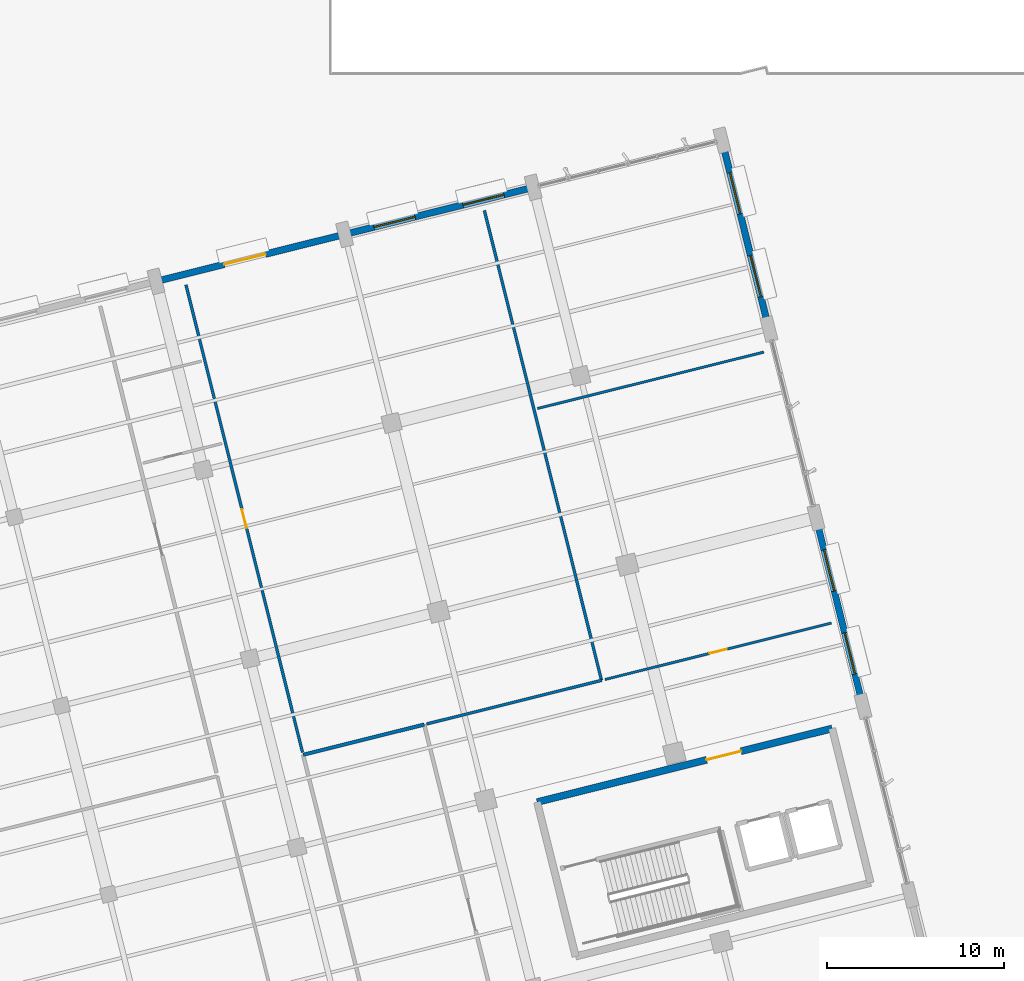
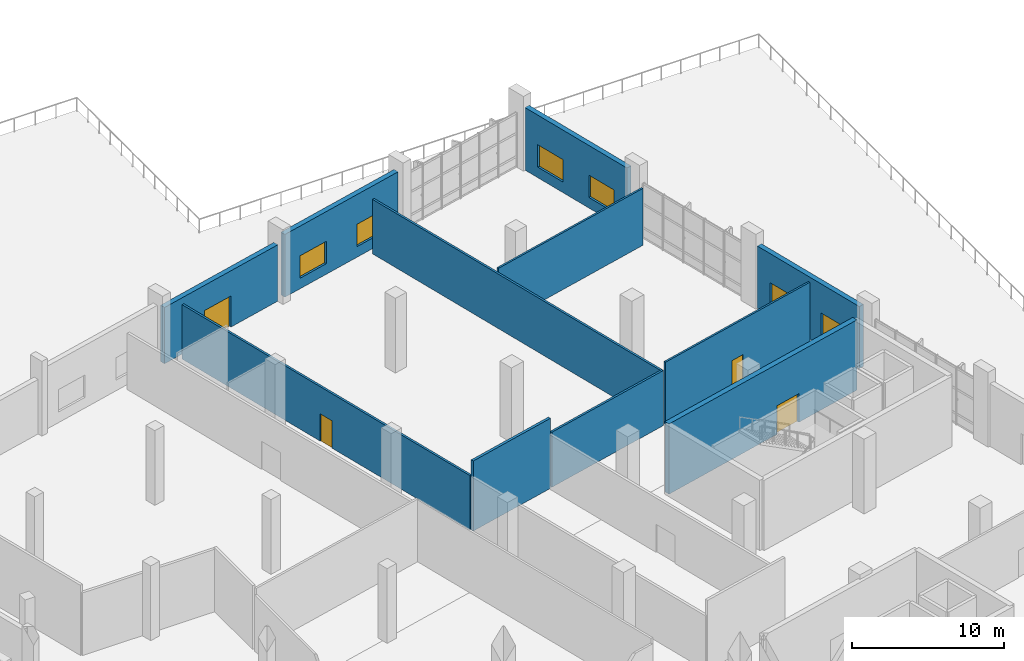
# One storey, part 130 of 163: 11 walls, 6 windows, 4 doors, 10 openings.
"""IFC4 building model written with IfcOpenShell, lengths in metres."""

from ifc_helpers import new_model, si_unit, direction, frame, frame_2d, origin, place, context, subcontext, project, spatial, rectangle, extrude, material, layer, layer_set, type_object, element, fill, save


model = new_model("IFC4")

# Units and contexts
model_context = context("Model", 3, precision=1e-05, world=origin(), true_north=direction((0.0, 1.0)))
body_context = subcontext(model_context, "Body", "Model", "MODEL_VIEW")
ifc_project = project(units=[si_unit("LENGTHUNIT", "METRE"), si_unit("AREAUNIT", "SQUARE_METRE"), si_unit("VOLUMEUNIT", "CUBIC_METRE"), si_unit("PLANEANGLEUNIT", "RADIAN"), si_unit("MASSUNIT", "GRAM", prefix="KILO")], contexts=[model_context])

# Site, building, storey
site_placement = place(None, origin())
site = spatial("IfcSite", under=ifc_project, at=site_placement, CompositionType="ELEMENT")
building_placement = place(site_placement, origin())
building = spatial("IfcBuilding", under=site, at=building_placement, Name="Khorjan Park Terminus", CompositionType="ELEMENT")
storey_placement = place(building_placement, origin())
storey = spatial("IfcBuildingStorey", under=building, at=storey_placement, Name="L00", CompositionType="ELEMENT", Elevation=0.0)

# Wall, opening, door
ifc_material_1 = material(Name="Concrete C50/60", Category="concrete")
ifc_layer_1 = layer(ifc_material_1, 0.4)
ifc_layer_set_1 = layer_set([ifc_layer_1], Name="Concrete C50/60")
wall_type_1 = type_object("IfcWallType", Name="CW-40", PredefinedType="SHEAR", material=ifc_layer_set_1)
wall_1_placement = place(storey_placement, frame((220.3091, 48.7265, 0.0), z_axis=(0.0, 0.0, 1.0), x_axis=(-0.970296544738, -0.241918612906, 0.0)))
wall_1 = element("IfcWall", 1, at=wall_1_placement, inside=storey, type_object=wall_type_1, Name="Operations North-East Firefighting Core concrete shear wall CW-40 (L00-E3)", PredefinedType="SHEAR", context=body_context, shape_type="SweptSolid", body=[
    extrude(rectangle(XDim=17.2, YDim=0.4, at=frame_2d((8.6, 0.0))), origin(), (0.0, 0.0, 1.0), 5.64),
])
opening_1_placement = place(wall_1_placement, frame((5.32, 0.0, 0.0)))
opening_1 = element("IfcOpeningElement", 2, at=opening_1_placement, cuts=wall_1, Name="Opening FD-20", PredefinedType="OPENING", context=body_context, shape_type="SweptSolid", body=[
    extrude(rectangle(XDim=2.0, YDim=2.3, at=frame_2d((1.0, 1.15))), frame((0.0, 0.21, 0.0), z_axis=(0.0, -1.0, 0.0), x_axis=(1.0, 0.0, 0.0)), (0.0, 0.0, 1.0), 0.42),
])
ifc_material_2 = material(Name="Fire-Rated Steel Double Door", Category="steel")
door_type_1 = type_object("IfcDoorType", Name="FD-20", OperationType="NOTDEFINED", PredefinedType="DOOR", material=ifc_material_2)
door_1_placement = place(opening_1_placement, origin())
door_1 = element("IfcDoor", 3, at=door_1_placement, inside=storey, type_object=door_type_1, Name="Operations North-East Firefighting Core fire-rated exit door FD-20 (L00)", OperationType="DOUBLE_DOOR_SINGLE_SWING", OverallHeight=2.3, OverallWidth=2.0, PredefinedType="DOOR", context=body_context, shape_type="SweptSolid", body=[
    extrude(rectangle(XDim=2.0, YDim=2.3, at=frame_2d((1.0, 1.15))), frame((0.0, 0.025, 0.0), z_axis=(0.0, -1.0, 0.0), x_axis=(1.0, 0.0, 0.0)), (0.0, 0.0, 1.0), 0.05),
])
fill(opening_1, door_1)

# Wall, openings, windows
ifc_material_3 = material(Name="Pigmented Precast GRC & Concrete C40/50", Category="concrete")
ifc_layer_2 = layer(ifc_material_3, 0.38)
ifc_layer_set_2 = layer_set([ifc_layer_2], Name="Pigmented Precast GRC & Concrete C40/50")
wall_type_2 = type_object("IfcWallType", Name="EW-38", PredefinedType="STANDARD", material=ifc_layer_set_2)
wall_2_placement = place(storey_placement, frame((221.8951, 50.6322, 0.0), z_axis=(0.0, 0.0, 1.0), x_axis=(-0.241910213289, 0.970298638929, 0.0)))
wall_2 = element("IfcWall", 4, at=wall_2_placement, inside=storey, type_object=wall_type_2, Name="External pigmented-GRC insulated wall EW-38 (EW-V5-E-L00-B04)", PredefinedType="STANDARD", context=body_context, shape_type="SweptSolid", body=[
    extrude(rectangle(XDim=9.6697, YDim=0.38, at=frame_2d((4.8349, 0.0))), origin(), (0.0, 0.0, 1.0), 4.985),
])
opening_2_placement = place(wall_2_placement, frame((1.2174, 0.0, 0.85)))
opening_2 = element("IfcOpeningElement", 5, at=opening_2_placement, cuts=wall_2, Name="Opening WN-24", PredefinedType="OPENING", context=body_context, shape_type="SweptSolid", body=[
    extrude(rectangle(XDim=2.4, YDim=1.8, at=frame_2d((1.2, 0.9))), frame((0.0, 0.2, 0.0), z_axis=(0.0, -1.0, 0.0), x_axis=(1.0, 0.0, 0.0)), (0.0, 0.0, 1.0), 0.4),
])
opening_3_placement = place(wall_2_placement, frame((6.0523, 0.0, 0.85)))
opening_3 = element("IfcOpeningElement", 6, at=opening_3_placement, cuts=wall_2, Name="Opening WN-24", PredefinedType="OPENING", context=body_context, shape_type="SweptSolid", body=[
    extrude(rectangle(XDim=2.4, YDim=1.8, at=frame_2d((1.2, 0.9))), frame((0.0, 0.2, 0.0), z_axis=(0.0, -1.0, 0.0), x_axis=(1.0, 0.0, 0.0)), (0.0, 0.0, 1.0), 0.4),
])
ifc_material_4 = material(Name="Anodized Bronze Aluminium & Low-E Glass", Category="aluminium")
window_type = type_object("IfcWindowType", Name="WN-24", PartitioningType="SINGLE_PANEL", PredefinedType="WINDOW", material=ifc_material_4)
window_1_placement = place(opening_2_placement, origin())
window_1 = element("IfcWindow", 7, at=window_1_placement, inside=storey, type_object=window_type, Name="Solar-control exterior window WN-24 (WN-EW-V5-E-L00-B04-1)", OverallHeight=1.8, OverallWidth=2.4, PartitioningType="SINGLE_PANEL", PredefinedType="WINDOW", context=body_context, shape_type="SweptSolid", body=[
    extrude(rectangle(XDim=2.4, YDim=1.8, at=frame_2d((1.2, 0.9))), frame((0.0, 0.03, 0.0), z_axis=(0.0, -1.0, 0.0), x_axis=(1.0, 0.0, 0.0)), (0.0, 0.0, 1.0), 0.06),
])
fill(opening_2, window_1)
window_2_placement = place(opening_3_placement, origin())
window_2 = element("IfcWindow", 8, at=window_2_placement, inside=storey, type_object=window_type, Name="Solar-control exterior window WN-24 (WN-EW-V5-E-L00-B04-2)", OverallHeight=1.8, OverallWidth=2.4, PartitioningType="SINGLE_PANEL", PredefinedType="WINDOW", context=body_context, shape_type="SweptSolid", body=[
    extrude(rectangle(XDim=2.4, YDim=1.8, at=frame_2d((1.2, 0.9))), frame((0.0, 0.03, 0.0), z_axis=(0.0, -1.0, 0.0), x_axis=(1.0, 0.0, 0.0)), (0.0, 0.0, 1.0), 0.06),
])
fill(opening_3, window_2)

wall_3_placement = place(storey_placement, frame((216.573, 71.9782, 0.0), z_axis=(0.0, 0.0, 1.0), x_axis=(-0.241919949636, 0.970296211457, 0.0)))
wall_3 = element("IfcWall", 9, at=wall_3_placement, inside=storey, type_object=wall_type_2, Name="External pigmented-GRC insulated wall EW-38 (EW-V5-E-L00-B06)", PredefinedType="STANDARD", context=body_context, shape_type="SweptSolid", body=[
    extrude(rectangle(XDim=9.6697, YDim=0.38, at=frame_2d((4.8349, 0.0))), origin(), (0.0, 0.0, 1.0), 5.025),
])
opening_4_placement = place(wall_3_placement, frame((1.2174, 0.0, 0.85)))
opening_4 = element("IfcOpeningElement", 10, at=opening_4_placement, cuts=wall_3, Name="Opening WN-24", PredefinedType="OPENING", context=body_context, shape_type="SweptSolid", body=[
    extrude(rectangle(XDim=2.4, YDim=1.8, at=frame_2d((1.2, 0.9))), frame((0.0, 0.2, 0.0), z_axis=(0.0, -1.0, 0.0), x_axis=(1.0, 0.0, 0.0)), (0.0, 0.0, 1.0), 0.4),
])
opening_5_placement = place(wall_3_placement, frame((6.0523, 0.0, 0.85)))
opening_5 = element("IfcOpeningElement", 11, at=opening_5_placement, cuts=wall_3, Name="Opening WN-24", PredefinedType="OPENING", context=body_context, shape_type="SweptSolid", body=[
    extrude(rectangle(XDim=2.4, YDim=1.8, at=frame_2d((1.2, 0.9))), frame((0.0, 0.2, 0.0), z_axis=(0.0, -1.0, 0.0), x_axis=(1.0, 0.0, 0.0)), (0.0, 0.0, 1.0), 0.4),
])
window_3_placement = place(opening_4_placement, origin())
window_3 = element("IfcWindow", 12, at=window_3_placement, inside=storey, type_object=window_type, Name="Solar-control exterior window WN-24 (WN-EW-V5-E-L00-B06-1)", OverallHeight=1.8, OverallWidth=2.4, PartitioningType="SINGLE_PANEL", PredefinedType="WINDOW", context=body_context, shape_type="SweptSolid", body=[
    extrude(rectangle(XDim=2.4, YDim=1.8, at=frame_2d((1.2, 0.9))), frame((0.0, 0.03, 0.0), z_axis=(0.0, -1.0, 0.0), x_axis=(1.0, 0.0, 0.0)), (0.0, 0.0, 1.0), 0.06),
])
fill(opening_4, window_3)
window_4_placement = place(opening_5_placement, origin())
window_4 = element("IfcWindow", 13, at=window_4_placement, inside=storey, type_object=window_type, Name="Solar-control exterior window WN-24 (WN-EW-V5-E-L00-B06-2)", OverallHeight=1.8, OverallWidth=2.4, PartitioningType="SINGLE_PANEL", PredefinedType="WINDOW", context=body_context, shape_type="SweptSolid", body=[
    extrude(rectangle(XDim=2.4, YDim=1.8, at=frame_2d((1.2, 0.9))), frame((0.0, 0.03, 0.0), z_axis=(0.0, -1.0, 0.0), x_axis=(1.0, 0.0, 0.0)), (0.0, 0.0, 1.0), 0.06),
])
fill(opening_5, window_4)

wall_4_placement = place(storey_placement, frame((203.0933, 79.2689, 0.0), z_axis=(0.0, 0.0, 1.0), x_axis=(-0.970297165187, -0.241916124371, 0.0)))
wall_4 = element("IfcWall", 14, at=wall_4_placement, inside=storey, type_object=wall_type_2, Name="External pigmented-GRC insulated wall EW-38 (EW-V5-N-L00-B02)", PredefinedType="STANDARD", context=body_context, shape_type="SweptSolid", body=[
    extrude(rectangle(XDim=10.3697, YDim=0.38, at=frame_2d((5.1848, 0.0))), origin(), (0.0, 0.0, 1.0), 5.035),
])
opening_6_placement = place(wall_4_placement, frame((1.3924, 0.0, 0.85)))
opening_6 = element("IfcOpeningElement", 15, at=opening_6_placement, cuts=wall_4, Name="Opening WN-24", PredefinedType="OPENING", context=body_context, shape_type="SweptSolid", body=[
    extrude(rectangle(XDim=2.4, YDim=1.8, at=frame_2d((1.2, 0.9))), frame((0.0, 0.2, 0.0), z_axis=(0.0, -1.0, 0.0), x_axis=(1.0, 0.0, 0.0)), (0.0, 0.0, 1.0), 0.4),
])
opening_7_placement = place(wall_4_placement, frame((6.5773, 0.0, 0.85)))
opening_7 = element("IfcOpeningElement", 16, at=opening_7_placement, cuts=wall_4, Name="Opening WN-24", PredefinedType="OPENING", context=body_context, shape_type="SweptSolid", body=[
    extrude(rectangle(XDim=2.4, YDim=1.8, at=frame_2d((1.2, 0.9))), frame((0.0, 0.2, 0.0), z_axis=(0.0, -1.0, 0.0), x_axis=(1.0, 0.0, 0.0)), (0.0, 0.0, 1.0), 0.4),
])
window_5_placement = place(opening_6_placement, origin())
window_5 = element("IfcWindow", 17, at=window_5_placement, inside=storey, type_object=window_type, Name="Solar-control exterior window WN-24 (WN-EW-V5-N-L00-B02-1)", OverallHeight=1.8, OverallWidth=2.4, PartitioningType="SINGLE_PANEL", PredefinedType="WINDOW", context=body_context, shape_type="SweptSolid", body=[
    extrude(rectangle(XDim=2.4, YDim=1.8, at=frame_2d((1.2, 0.9))), frame((0.0, 0.03, 0.0), z_axis=(0.0, -1.0, 0.0), x_axis=(1.0, 0.0, 0.0)), (0.0, 0.0, 1.0), 0.06),
])
fill(opening_6, window_5)
window_6_placement = place(opening_7_placement, origin())
window_6 = element("IfcWindow", 18, at=window_6_placement, inside=storey, type_object=window_type, Name="Solar-control exterior window WN-24 (WN-EW-V5-N-L00-B02-2)", OverallHeight=1.8, OverallWidth=2.4, PartitioningType="SINGLE_PANEL", PredefinedType="WINDOW", context=body_context, shape_type="SweptSolid", body=[
    extrude(rectangle(XDim=2.4, YDim=1.8, at=frame_2d((1.2, 0.9))), frame((0.0, 0.03, 0.0), z_axis=(0.0, -1.0, 0.0), x_axis=(1.0, 0.0, 0.0)), (0.0, 0.0, 1.0), 0.06),
])
fill(opening_7, window_6)

# Wall, opening, door
wall_5_placement = place(storey_placement, frame((192.4203, 76.6078, 0.0), z_axis=(0.0, 0.0, 1.0), x_axis=(-0.970294337114, -0.241927467154, 0.0)))
wall_5 = element("IfcWall", 19, at=wall_5_placement, inside=storey, type_object=wall_type_2, Name="External pigmented-GRC insulated wall EW-38 (EW-V5-N-L00-B03)", PredefinedType="STANDARD", context=body_context, shape_type="SweptSolid", body=[
    extrude(rectangle(XDim=10.3696, YDim=0.38, at=frame_2d((5.1848, 0.0))), origin(), (0.0, 0.0, 1.0), 4.525),
])
opening_8_placement = place(wall_5_placement, frame((4.3, 0.0, 0.0)))
opening_8 = element("IfcOpeningElement", 20, at=opening_8_placement, cuts=wall_5, Name="Opening ED-24", PredefinedType="OPENING", context=body_context, shape_type="SweptSolid", body=[
    extrude(rectangle(XDim=2.4, YDim=2.5, at=frame_2d((1.2, 1.25))), frame((0.0, 0.2, 0.0), z_axis=(0.0, -1.0, 0.0), x_axis=(1.0, 0.0, 0.0)), (0.0, 0.0, 1.0), 0.4),
])
ifc_material_5 = material(Name="Anodized Bronze Aluminium & Safety Glass", Category="aluminium")
door_type_2 = type_object("IfcDoorType", Name="ED-24", OperationType="NOTDEFINED", PredefinedType="DOOR", material=ifc_material_5)
door_2_placement = place(opening_8_placement, origin())
door_2 = element("IfcDoor", 21, at=door_2_placement, inside=storey, type_object=door_type_2, Name="Exterior door ED-24 (DR-EW-V5-N-L00-B03)", OperationType="DOUBLE_DOOR_SINGLE_SWING", OverallHeight=2.5, OverallWidth=2.4, PredefinedType="DOOR", context=body_context, shape_type="SweptSolid", body=[
    extrude(rectangle(XDim=2.4, YDim=2.5, at=frame_2d((1.2, 1.25))), frame((0.0, 0.025, 0.0), z_axis=(0.0, -1.0, 0.0), x_axis=(1.0, 0.0, 0.0)), (0.0, 0.0, 1.0), 0.05),
])
fill(opening_8, door_2)

ifc_material_6 = material(Name="Moisture-Resistant Sanitary Partition")
ifc_layer_3 = layer(ifc_material_6, 0.14)
ifc_layer_set_3 = layer_set([ifc_layer_3], Name="Moisture-Resistant Sanitary Partition")
wall_type_3 = type_object("IfcWallType", Name="PT-14", PredefinedType="PARTITIONING", material=ifc_layer_set_3)
wall_6_placement = place(storey_placement, frame((220.2643, 54.6929, 0.0), z_axis=(0.0, 0.0, 1.0), x_axis=(-0.97029693778, -0.241917036471, 0.0)))
wall_6 = element("IfcWall", 22, at=wall_6_placement, inside=storey, type_object=wall_type_3, Name="Interior acoustic partition PT-14 (L00-SWC0)", PredefinedType="PARTITIONING", context=body_context, shape_type="SweptSolid", body=[
    extrude(rectangle(XDim=13.2, YDim=0.14, at=frame_2d((6.6, 0.0))), origin(), (0.0, 0.0, 1.0), 4.985),
])
opening_9_placement = place(wall_6_placement, frame((6.1, 0.0, 0.0)))
opening_9 = element("IfcOpeningElement", 23, at=opening_9_placement, cuts=wall_6, Name="Opening ID-10", PredefinedType="OPENING", context=body_context, shape_type="SweptSolid", body=[
    extrude(rectangle(XDim=1.0, YDim=2.15, at=frame_2d((0.5, 1.075))), frame((0.0, 0.08, 0.0), z_axis=(0.0, -1.0, 0.0), x_axis=(1.0, 0.0, 0.0)), (0.0, 0.0, 1.0), 0.16),
])
ifc_material_7 = material(Name="Acoustic Fire-Rated Single Door")
door_type_3 = type_object("IfcDoorType", Name="ID-10", OperationType="NOTDEFINED", PredefinedType="DOOR", material=ifc_material_7)
door_3_placement = place(opening_9_placement, origin())
door_3 = element("IfcDoor", 24, at=door_3_placement, inside=storey, type_object=door_type_3, Name="Interior door ID-10 (L00-SWC0)", OperationType="SINGLE_SWING_LEFT", OverallHeight=2.15, OverallWidth=1.0, PredefinedType="DOOR", context=body_context, shape_type="SweptSolid", body=[
    extrude(rectangle(XDim=1.0, YDim=2.15, at=frame_2d((0.5, 1.075))), frame((0.0, 0.025, 0.0), z_axis=(0.0, -1.0, 0.0), x_axis=(1.0, 0.0, 0.0)), (0.0, 0.0, 1.0), 0.05),
])
fill(opening_9, door_3)

# Wall
wall_7_placement = place(storey_placement, frame((203.634, 66.8302, 0.0), z_axis=(0.0, 0.0, 1.0), x_axis=(0.970295159486, 0.241924168857, 0.0)))
element("IfcWall", 25, at=wall_7_placement, inside=storey, type_object=wall_type_3, Name="Interior acoustic partition PT-14 (L00-SWC0)", PredefinedType="PARTITIONING", context=body_context, shape_type="SweptSolid", body=[
    extrude(rectangle(XDim=13.2, YDim=0.14, at=frame_2d((6.6, 0.0))), origin(), (0.0, 0.0, 1.0), 4.575),
])

# Wall, opening, door
ifc_material_8 = material(Name="Insulated Metal-Stud Acoustic Partition")
ifc_layer_4 = layer(ifc_material_8, 0.16)
ifc_layer_set_4 = layer_set([ifc_layer_4], Name="Insulated Metal-Stud Acoustic Partition")
wall_type_4 = type_object("IfcWallType", Name="PT-16", PredefinedType="PARTITIONING", material=ifc_layer_set_4)
wall_8_placement = place(storey_placement, frame((190.3453, 47.3775, 0.0), z_axis=(0.0, 0.0, 1.0), x_axis=(-0.241921879243, 0.970295730354, 0.0)))
wall_8 = element("IfcWall", 26, at=wall_8_placement, inside=storey, type_object=wall_type_4, Name="Interior acoustic partition PT-16 (L00-REF)", PredefinedType="PARTITIONING", context=body_context, shape_type="SweptSolid", body=[
    extrude(rectangle(XDim=27.26, YDim=0.16, at=frame_2d((13.63, 0.0))), origin(), (0.0, 0.0, 1.0), 4.375),
])
opening_10_placement = place(wall_8_placement, frame((13.08, 0.0, 0.0)))
opening_10 = element("IfcOpeningElement", 27, at=opening_10_placement, cuts=wall_8, Name="Opening ID-11", PredefinedType="OPENING", context=body_context, shape_type="SweptSolid", body=[
    extrude(rectangle(XDim=1.1, YDim=2.2, at=frame_2d((0.55, 1.1))), frame((0.0, 0.09, 0.0), z_axis=(0.0, -1.0, 0.0), x_axis=(1.0, 0.0, 0.0)), (0.0, 0.0, 1.0), 0.18),
])
ifc_material_9 = material(Name="Acoustic Hardwood Single Door", Category="wood")
door_type_4 = type_object("IfcDoorType", Name="ID-11", OperationType="NOTDEFINED", PredefinedType="DOOR", material=ifc_material_9)
door_4_placement = place(opening_10_placement, origin())
door_4 = element("IfcDoor", 28, at=door_4_placement, inside=storey, type_object=door_type_4, Name="Interior door ID-11 (L00-REF)", OperationType="SINGLE_SWING_RIGHT", OverallHeight=2.2, OverallWidth=1.1, PredefinedType="DOOR", context=body_context, shape_type="SweptSolid", body=[
    extrude(rectangle(XDim=1.1, YDim=2.2, at=frame_2d((0.55, 1.1))), frame((0.0, 0.025, 0.0), z_axis=(0.0, -1.0, 0.0), x_axis=(1.0, 0.0, 0.0)), (0.0, 0.0, 1.0), 0.05),
])
fill(opening_10, door_4)

# Walls
wall_9_placement = place(storey_placement, frame((200.6337, 78.0373, 0.0), z_axis=(0.0, 0.0, 1.0), x_axis=(0.241919860902, -0.970296233581, 0.0)))
element("IfcWall", 29, at=wall_9_placement, inside=storey, type_object=wall_type_4, Name="Interior acoustic partition PT-16 (L00-REF)", PredefinedType="PARTITIONING", context=body_context, shape_type="SweptSolid", body=[
    extrude(rectangle(XDim=27.4, YDim=0.16, at=frame_2d((13.7, 0.0))), origin(), (0.0, 0.0, 1.0), 4.375),
])
wall_10_placement = place(storey_placement, frame((207.2623, 51.4512, 0.0), z_axis=(0.0, 0.0, 1.0), x_axis=(-0.970295708881, -0.241921965367, 0.0)))
element("IfcWall", 30, at=wall_10_placement, inside=storey, type_object=wall_type_4, Name="Interior acoustic partition PT-16 (L00-REF)", PredefinedType="PARTITIONING", context=body_context, shape_type="SweptSolid", body=[
    extrude(rectangle(XDim=10.2, YDim=0.16, at=frame_2d((5.1, 0.0))), origin(), (0.0, 0.0, 1.0), 4.425),
])
ifc_material_10 = material(Name="Fire-Rated Acoustic Masonry & Drywall", Category="masonry")
ifc_layer_5 = layer(ifc_material_10, 0.2)
ifc_layer_set_5 = layer_set([ifc_layer_5], Name="Fire-Rated Acoustic Masonry & Drywall")
wall_type_5 = type_object("IfcWallType", Name="PT-20", PredefinedType="PARTITIONING", material=ifc_layer_set_5)
wall_11_placement = place(storey_placement, frame((190.3792, 47.2417, 0.0), z_axis=(0.0, 0.0, 1.0), x_axis=(0.970294782603, 0.241925680435, 0.0)))
element("IfcWall", 31, at=wall_11_placement, inside=storey, type_object=wall_type_5, Name="Interior acoustic partition PT-20 (L00-CUST)", PredefinedType="PARTITIONING", context=body_context, shape_type="SweptSolid", body=[
    extrude(rectangle(XDim=7.06, YDim=0.2, at=frame_2d((3.53, 0.0))), origin(), (0.0, 0.0, 1.0), 5.63),
])

save(model, "model.ifc")
